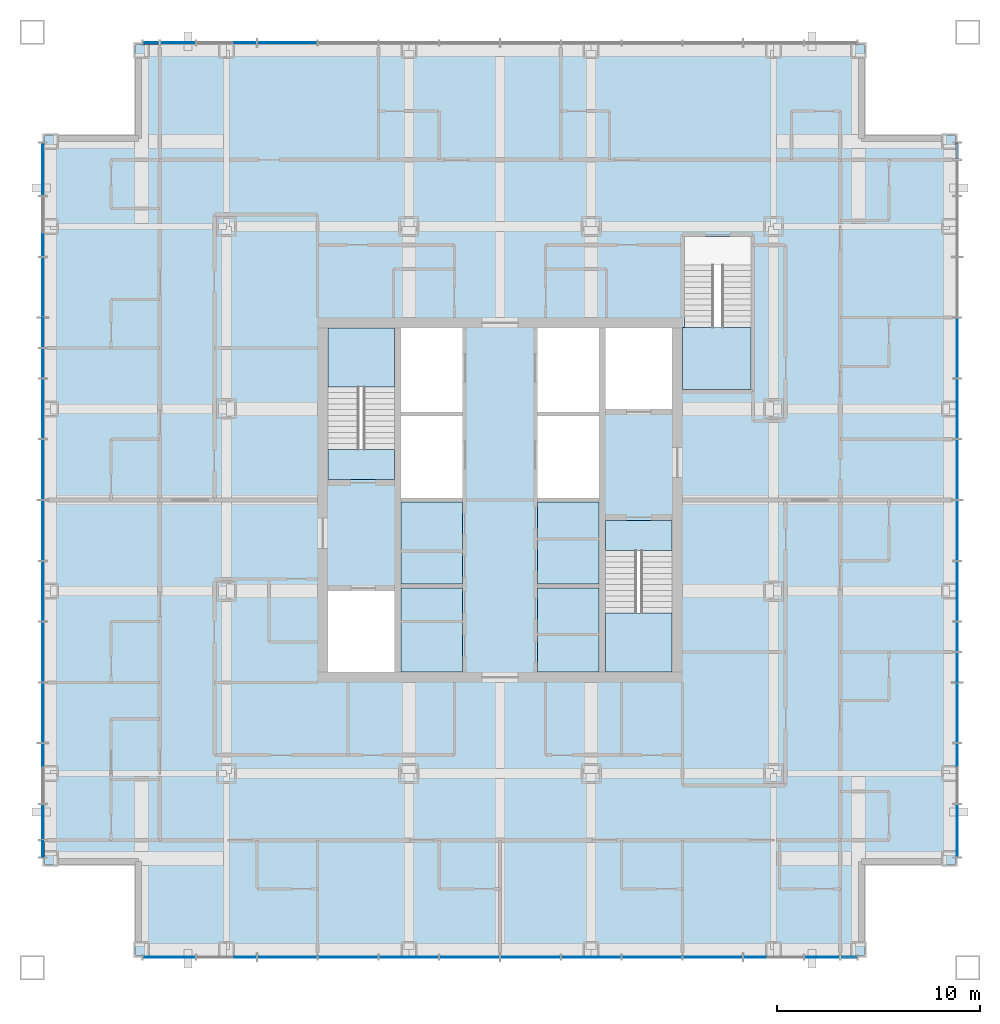
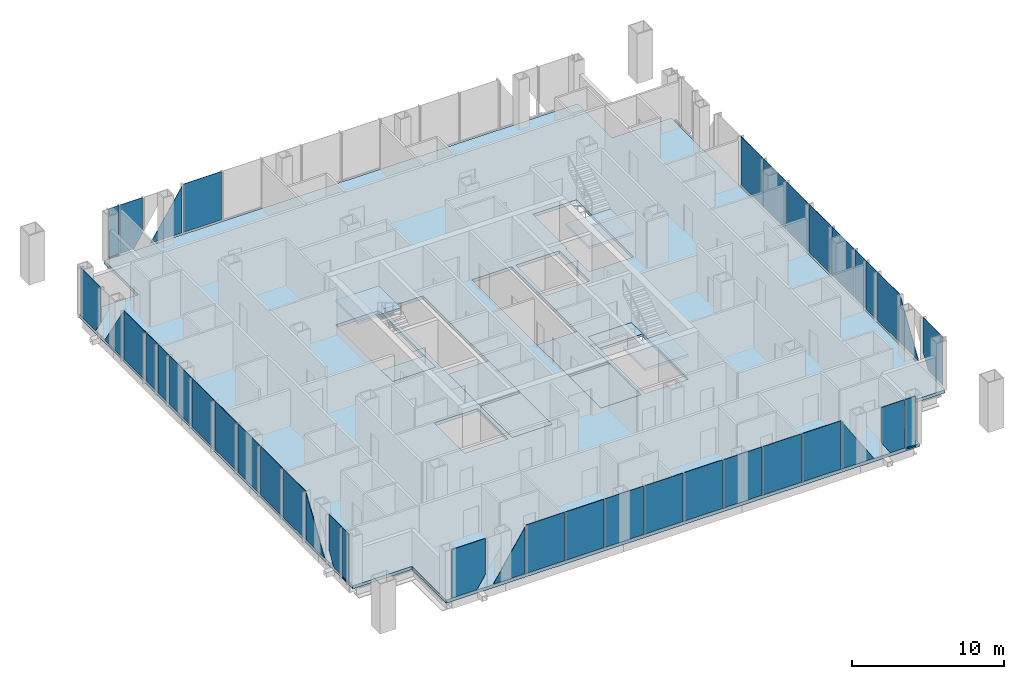
# One storey, part 6 of 12: 41 plates, 10 slabs, 4 members, 7 elements without a shape of their own.
"""IFC4 building model written with IfcOpenShell, lengths in metres."""

import ifcopenshell
import ifcopenshell.guid

model = None  # the IFC model being written
_history = None  # IfcOwnerHistory: only IFC2X3 demands one
_inside = {}  # id of a spatial element -> (the spatial element, [elements in it])
_under = {}  # id of a project, library or spatial element -> (it, [spatial elements below it])
_declared = {}  # id of a project -> (the project, [libraries it declares])
_typed = {}  # id of a type object -> (the type object, [elements of that type])
_made_of = {}  # id of a material, layer set ... -> (it, [elements and type objects made of it])


def new_model(schema):
    """Start an empty IFC model of exactly this schema.

    Asked for "IFC4X3", IfcOpenShell would pick the latest addendum, in which some entities
    have other attributes; the version numbers below select the first issue.
    IFC2X3 requires an IfcOwnerHistory on every rooted entity: one is made here for all.
    """
    global model, _history
    if schema == "IFC4X3":
        model = ifcopenshell.file(schema_version=(4, 3, 0, 0))
    else:
        model = ifcopenshell.file(schema=schema)
    _inside.clear()
    _under.clear()
    _declared.clear()
    _typed.clear()
    _made_of.clear()
    _history = None
    if model.schema == "IFC2X3":
        org = make("IfcOrganization", Name="unknown")
        user = make(
            "IfcPersonAndOrganization",
            ThePerson=make("IfcPerson", FamilyName="unknown"),
            TheOrganization=org,
        )
        app = make(
            "IfcApplication",
            ApplicationDeveloper=org,
            Version="unknown",
            ApplicationFullName="unknown",
            ApplicationIdentifier="unknown",
        )
        _history = make(
            "IfcOwnerHistory",
            OwningUser=user,
            OwningApplication=app,
            ChangeAction="ADDED",
            CreationDate=0,
        )
    return model


def make(cls, **values):
    """One entity of the class cls with the attributes given. An attribute that is None is left unset."""
    return model.create_entity(
        cls, **{name: value for name, value in values.items() if value is not None}
    )


def rooted(cls, **values):
    """An entity with a GlobalId (a new one), such as an element, a storey or a relation."""
    return make(cls, GlobalId=ifcopenshell.guid.new(), OwnerHistory=_history, **values)


def si_unit(unit_type, name, prefix=None):
    """IfcSIUnit, for example si_unit("LENGTHUNIT", "METRE", prefix="MILLI")."""
    return make("IfcSIUnit", UnitType=unit_type, Prefix=prefix, Name=name)


def assignment(units):
    """IfcUnitAssignment: the units of a project."""
    return None if units is None else make("IfcUnitAssignment", Units=units)


def point(xyz):
    """IfcCartesianPoint."""
    return None if xyz is None else make("IfcCartesianPoint", Coordinates=xyz)


def direction(xyz):
    """IfcDirection."""
    return None if xyz is None else make("IfcDirection", DirectionRatios=xyz)


def frame(location, z_axis=None, x_axis=None):
    """IfcAxis2Placement3D, a coordinate frame: its origin and axes. An axis left out is left unset."""
    return make(
        "IfcAxis2Placement3D",
        Location=point(location),
        Axis=direction(z_axis),
        RefDirection=direction(x_axis),
    )


def frame_2d(location, x_axis=None):
    """IfcAxis2Placement2D, a coordinate frame in the plane: its origin and x axis."""
    return make(
        "IfcAxis2Placement2D", Location=point(location), RefDirection=direction(x_axis)
    )


def origin():
    """The frame at (0, 0, 0) with its axes left unset."""
    return frame((0.0, 0.0, 0.0))


def origin_2d():
    """The frame at (0, 0) in the plane with its x axis left unset."""
    return frame_2d((0.0, 0.0))


def place(relative_to, where):
    """IfcLocalPlacement: puts the frame where relative to a parent placement (None: the world)."""
    return make(
        "IfcLocalPlacement", PlacementRelTo=relative_to, RelativePlacement=where
    )


def context(
    kind, dimensions, precision=None, world=None, true_north=None, identifier=None
):
    """IfcGeometricRepresentationContext, for example the 3D "Model" context."""
    return make(
        "IfcGeometricRepresentationContext",
        ContextIdentifier=identifier,
        ContextType=kind,
        CoordinateSpaceDimension=dimensions,
        Precision=precision,
        WorldCoordinateSystem=world,
        TrueNorth=true_north,
    )


def subcontext(parent, identifier, kind, view, scale=None):
    """IfcGeometricRepresentationSubContext, for example "Body" below "Model"."""
    return make(
        "IfcGeometricRepresentationSubContext",
        ContextIdentifier=identifier,
        ContextType=kind,
        ParentContext=parent,
        TargetScale=scale,
        TargetView=view,
    )


def project(units=None, contexts=None):
    """IfcProject with its units and contexts."""
    return rooted(
        "IfcProject",
        Name="project",
        RepresentationContexts=contexts,
        UnitsInContext=assignment(units),
    )


def spatial(cls, under=None, at=None, **own):
    """A site, building, storey or space (cls), placed at a placement, below another one or the project."""
    s = rooted(cls, ObjectPlacement=at, **own)
    if under is not None:
        _under.setdefault(under.id(), (under, []))[1].append(s)
    return s


def polyline(points):
    """IfcPolyline through the points."""
    return make("IfcPolyline", Points=[point(p) for p in points])


def profile(cls, at=None, kind="AREA", **sizes):
    """A parametric profile (cls). Its sizes go by their IFC names, for example OverallWidth=200.0."""
    return make(cls, ProfileType=kind, Position=at, **sizes)


def rectangle(**sizes):
    """IfcRectangleProfileDef."""
    return profile("IfcRectangleProfileDef", **sizes)


def outline(outer, holes=None, kind="AREA"):
    """IfcArbitraryClosedProfileDef: a profile drawn as a closed curve; with holes, ...WithVoids."""
    if holes is None:
        return make("IfcArbitraryClosedProfileDef", ProfileType=kind, OuterCurve=outer)
    return make(
        "IfcArbitraryProfileDefWithVoids",
        ProfileType=kind,
        OuterCurve=outer,
        InnerCurves=holes,
    )


def extrude(swept, where, along, depth):
    """IfcExtrudedAreaSolid: the profile swept, set in the frame where, extruded along a direction by depth."""
    return make(
        "IfcExtrudedAreaSolid",
        SweptArea=swept,
        Position=where,
        ExtrudedDirection=direction(along),
        Depth=depth,
    )


def shape(context_of_items, identifier, shape_type, items):
    """IfcShapeRepresentation: the items that make up one representation, for example the "Body"."""
    return make(
        "IfcShapeRepresentation",
        ContextOfItems=context_of_items,
        RepresentationIdentifier=identifier,
        RepresentationType=shape_type,
        Items=items,
    )


def material(Name=None, Category=None):
    """IfcMaterial."""
    return make("IfcMaterial", Name=Name, Category=Category)


def layer(
    of_material, thickness, ventilated=None, Name=None, Category=None, Priority=None
):
    """IfcMaterialLayer: one layer of a wall or slab, of a material (None: an air gap)."""
    return make(
        "IfcMaterialLayer",
        Material=of_material,
        LayerThickness=thickness,
        IsVentilated=ventilated,
        Name=Name,
        Category=Category,
        Priority=Priority,
    )


def layer_set(layers, Name=None):
    """IfcMaterialLayerSet."""
    return make("IfcMaterialLayerSet", MaterialLayers=layers, LayerSetName=Name)


def material_profile(
    of_material, cross_section, Name=None, Category=None, Priority=None
):
    """IfcMaterialProfile: a cross section and its material."""
    return make(
        "IfcMaterialProfile",
        Name=Name,
        Material=of_material,
        Profile=cross_section,
        Priority=Priority,
        Category=Category,
    )


def profile_set(profiles, Name=None, composite=None):
    """IfcMaterialProfileSet."""
    return make(
        "IfcMaterialProfileSet",
        Name=Name,
        MaterialProfiles=profiles,
        CompositeProfile=composite,
    )


def made_of(thing, what):
    """Note that an element or type object is made of a material, layer set ...; save() writes the relation."""
    if what is not None:
        _made_of.setdefault(what.id(), (what, []))[1].append(thing)
    return thing


def type_object(cls, material=None, **own):
    """A type object (cls), such as IfcWallType, which elements share."""
    return made_of(rooted(cls, **own), material)


def element(
    cls,
    number,
    at=None,
    inside=None,
    cuts=None,
    type_object=None,
    material=None,
    context=None,
    identifier="Body",
    shape_type=None,
    held_by="IfcProductDefinitionShape",
    body=None,
    shapes=None,
    **own,
):
    """One element of the class cls, such as IfcWall. Its Tag is "e" and its number.

    at: its placement. inside: the storey or other place that contains it. cuts: it is an
    opening in that element (IfcRelVoidsElement). A single representation is given by context,
    identifier, shape_type and body (its items); several are given by shapes. held_by: the class
    of the entity that holds the representations. save() writes the other relations.
    """
    e = rooted(cls, Tag="e%d" % number, ObjectPlacement=at, **own)
    if body is not None:
        shapes = [shape(context, identifier, shape_type, body)]
    if shapes is not None:
        e.Representation = make(held_by, Representations=shapes)
    if inside is not None:
        _inside.setdefault(inside.id(), (inside, []))[1].append(e)
    if cuts is not None:
        rooted(
            "IfcRelVoidsElement", RelatingBuildingElement=cuts, RelatedOpeningElement=e
        )
    if type_object is not None:
        _typed.setdefault(type_object.id(), (type_object, []))[1].append(e)
    return made_of(e, material)


def aggregate(whole, parts):
    """IfcRelAggregates: a whole, such as a stair, and the parts it consists of."""
    return rooted("IfcRelAggregates", RelatingObject=whole, RelatedObjects=parts)


def save(model, path):
    """Write the relations noted so far, then the file.

    IfcRelAggregates (storeys below a building ...), IfcRelContainedInSpatialStructure (elements
    in a storey), IfcRelDefinesByType, IfcRelAssociatesMaterial and IfcRelDeclares: one each for
    every whole, place, type object, material and project.
    """
    for whole, parts in _under.values():
        aggregate(whole, parts)
    for where, things in _inside.values():
        rooted(
            "IfcRelContainedInSpatialStructure",
            RelatedElements=things,
            RelatingStructure=where,
        )
    for kind, things in _typed.values():
        rooted("IfcRelDefinesByType", RelatedObjects=things, RelatingType=kind)
    for what, things in _made_of.values():
        rooted("IfcRelAssociatesMaterial", RelatedObjects=things, RelatingMaterial=what)
    for by, libraries in _declared.values():
        rooted("IfcRelDeclares", RelatingContext=by, RelatedDefinitions=libraries)
    model.write(path)


model = new_model("IFC4")

# Units and contexts
model_context = context("Model", 3, precision=1e-05, world=origin(), true_north=direction((0.0, 1.0)))
body_context = subcontext(model_context, "Body", "Model", "MODEL_VIEW")
ifc_project = project(units=[si_unit("LENGTHUNIT", "METRE"), si_unit("AREAUNIT", "SQUARE_METRE"), si_unit("VOLUMEUNIT", "CUBIC_METRE"), si_unit("PLANEANGLEUNIT", "RADIAN"), si_unit("MASSUNIT", "GRAM", prefix="KILO")], contexts=[model_context])

# Site, building, storey
site_placement = place(None, origin())
site = spatial("IfcSite", under=ifc_project, at=site_placement, CompositionType="ELEMENT")
building_placement = place(site_placement, origin())
building = spatial("IfcBuilding", under=site, at=building_placement, Name="Malebo Sky Hospital", CompositionType="ELEMENT")
storey_placement = place(building_placement, frame((0.0, 0.0, 221.0)))
storey = spatial("IfcBuildingStorey", under=building, at=storey_placement, Name="L53", CompositionType="ELEMENT", Elevation=221.0)

# Curtain wall, member
ifc_material_1 = material(Name="Anodised aluminium, natural silver", Category="aluminium")
ifc_layer_1 = layer(ifc_material_1, 0.25)
ifc_layer_set_1 = layer_set([ifc_layer_1], Name="WARD CURTAIN WALL NORTH AND SOUTH")
curtain_wall_type_1 = type_object("IfcCurtainWallType", Name="WARD CURTAIN WALL NORTH AND SOUTH", PredefinedType="NOTDEFINED", material=ifc_layer_set_1)
curtain_wall_1_placement = place(storey_placement, origin())
curtain_wall_1 = element("IfcCurtainWall", 1, at=curtain_wall_1_placement, inside=storey, type_object=curtain_wall_type_1, Name="NS curtain wall N", PredefinedType="NOTDEFINED")
ifc_material_profile = material_profile(ifc_material_1, rectangle(XDim=0.14990234375, YDim=0.10009765625, at=origin_2d()), Name="ALUMINIUM TRANSOM 150x100")
ifc_profile_set = profile_set([ifc_material_profile], Name="Anodised aluminium, natural silver")
member_type = type_object("IfcMemberType", Name="ALUMINIUM TRANSOM 150x100", PredefinedType="USERDEFINED", material=ifc_profile_set)
member_1_placement = place(storey_placement, frame((42.375, 84.574951171875, 0.050048828125), z_axis=(1.0, 0.0, 0.0), x_axis=(0.0, 1.0, 0.0)))
member_1 = element("IfcMember", 2, at=member_1_placement, type_object=member_type, Name="Transom 1", ObjectType="TRANSOM", PredefinedType="USERDEFINED", context=body_context, shape_type="SweptSolid", body=[
    extrude(rectangle(XDim=0.14990234375, YDim=0.10009765625, at=origin_2d()), origin(), (0.0, 0.0, 1.0), 0.78759765625),
])

ifc_layer_2 = layer(ifc_material_1, 0.25)
ifc_layer_set_2 = layer_set([ifc_layer_2], Name="WARD CURTAIN WALL EAST AND WEST")
curtain_wall_type_2 = type_object("IfcCurtainWallType", Name="WARD CURTAIN WALL EAST AND WEST", PredefinedType="NOTDEFINED", material=ifc_layer_set_2)
curtain_wall_2_placement = place(storey_placement, origin())
curtain_wall_2 = element("IfcCurtainWall", 3, at=curtain_wall_2_placement, inside=storey, type_object=curtain_wall_type_2, Name="EW curtain wall W", PredefinedType="NOTDEFINED")
member_2_placement = place(storey_placement, frame((37.425048828125, 44.375, 0.050048828125), z_axis=(0.0, 1.0, 0.0), x_axis=(-1.0, 0.0, 0.0)))
member_2 = element("IfcMember", 4, at=member_2_placement, type_object=member_type, Name="Transom 1", ObjectType="TRANSOM", PredefinedType="USERDEFINED", context=body_context, shape_type="SweptSolid", body=[
    extrude(rectangle(XDim=0.14990234375, YDim=0.10009765625, at=origin_2d()), origin(), (0.0, 0.0, 1.0), 0.78759765625),
])

curtain_wall_3_placement = place(storey_placement, origin())
curtain_wall_3 = element("IfcCurtainWall", 5, at=curtain_wall_3_placement, inside=storey, type_object=curtain_wall_type_1, Name="NS curtain wall S", PredefinedType="NOTDEFINED")
member_3_placement = place(storey_placement, frame((77.625, 39.425048828125, 0.050048828125), z_axis=(-1.0, 0.0, 0.0), x_axis=(0.0, -1.0, 0.0)))
member_3 = element("IfcMember", 6, at=member_3_placement, type_object=member_type, Name="Transom 1", ObjectType="TRANSOM", PredefinedType="USERDEFINED", context=body_context, shape_type="SweptSolid", body=[
    extrude(rectangle(XDim=0.14990234375, YDim=0.10009765625, at=origin_2d()), origin(), (0.0, 0.0, 1.0), 0.78759765625),
])

curtain_wall_4_placement = place(storey_placement, origin())
curtain_wall_4 = element("IfcCurtainWall", 7, at=curtain_wall_4_placement, inside=storey, type_object=curtain_wall_type_2, Name="EW curtain wall E", PredefinedType="NOTDEFINED")
member_4_placement = place(storey_placement, frame((82.574951171875, 79.625, 0.050048828125), z_axis=(0.0, -1.0, 0.0), x_axis=(1.0, 0.0, 0.0)))
member_4 = element("IfcMember", 8, at=member_4_placement, type_object=member_type, Name="Transom 1", ObjectType="TRANSOM", PredefinedType="USERDEFINED", context=body_context, shape_type="SweptSolid", body=[
    extrude(rectangle(XDim=0.14990234375, YDim=0.10009765625, at=origin_2d()), origin(), (0.0, 0.0, 1.0), 0.78759765625),
])

# Slabs
ifc_material_2 = material(Name="Concrete C40/50", Category="concrete")
ifc_layer_3 = layer(ifc_material_2, 0.25)
ifc_layer_set_3 = layer_set([ifc_layer_3], Name="COMPOSITE FLOOR SLAB 250")
slab_type_1 = type_object("IfcSlabType", Name="COMPOSITE FLOOR SLAB 250", PredefinedType="FLOOR", material=ifc_layer_set_3)
slab_1_placement = place(storey_placement, frame((0.0, 0.0, -0.25)))
element("IfcSlab", 9, at=slab_1_placement, inside=storey, type_object=slab_type_1, Name="Floor slab L53", PredefinedType="FLOOR", context=body_context, shape_type="SweptSolid", body=[
    extrude(outline(polyline([(42.0, 84.5), (42.0, 80.0), (37.5, 80.0), (37.5, 44.0), (42.0, 44.0), (42.0, 39.5), (78.0, 39.5), (78.0, 44.0), (82.5, 44.0), (82.5, 80.0), (78.0, 80.0), (78.0, 84.5), (42.0, 84.5)]), holes=[polyline([(55.10009765625, 70.5), (58.14990234375, 70.5), (58.14990234375, 53.5), (55.10009765625, 53.5), (55.10009765625, 70.5)]), polyline([(64.89990234375, 70.5), (64.89990234375, 53.5), (61.85009765625, 53.5), (61.85009765625, 70.5), (64.89990234375, 70.5)]), polyline([(54.800048828125, 63.0), (51.5, 63.0), (51.5, 70.5), (54.800048828125, 70.5), (54.800048828125, 63.0)]), polyline([(51.5, 53.5), (51.5, 57.5), (54.800048828125, 57.5), (54.800048828125, 53.5), (51.5, 53.5)]), polyline([(65.199951171875, 61.0), (68.5, 61.0), (68.5, 53.5), (65.199951171875, 53.5), (65.199951171875, 61.0)]), polyline([(68.5, 70.5), (68.5, 66.5), (65.199951171875, 66.5), (65.199951171875, 70.5), (68.5, 70.5)]), polyline([(69.0, 67.449951171875), (69.0, 70.52001953125), (69.10009765625, 70.52001953125), (69.10009765625, 75.0), (72.39990234375, 75.0), (72.39990234375, 67.449951171875), (69.10009765625, 67.449951171875), (69.0, 67.449951171875)])]), origin(), (0.0, 0.0, 1.0), 0.25),
])
ifc_layer_4 = layer(ifc_material_2, 0.25)
ifc_layer_set_4 = layer_set([ifc_layer_4], Name="SHAFT INFILL SLAB 250")
slab_type_2 = type_object("IfcSlabType", Name="SHAFT INFILL SLAB 250", PredefinedType="FLOOR", material=ifc_layer_set_4)
slab_2_placement = place(storey_placement, frame((0.0, 0.0, -0.25)))
element("IfcSlab", 10, at=slab_2_placement, inside=storey, type_object=slab_type_2, Name="Shaft infill slab W1 L53", PredefinedType="FLOOR", context=body_context, shape_type="SweptSolid", body=[
    extrude(outline(polyline([(55.10009765625, 53.5), (58.14990234375, 53.5), (58.14990234375, 57.64990234375), (55.10009765625, 57.64990234375), (55.10009765625, 53.5)])), origin(), (0.0, 0.0, 1.0), 0.25),
])
slab_3_placement = place(storey_placement, frame((0.0, 0.0, -0.25)))
element("IfcSlab", 11, at=slab_3_placement, inside=storey, type_object=slab_type_2, Name="Shaft infill slab W2 L53", PredefinedType="FLOOR", context=body_context, shape_type="SweptSolid", body=[
    extrude(outline(polyline([(55.10009765625, 57.85009765625), (58.14990234375, 57.85009765625), (58.14990234375, 61.89990234375), (55.10009765625, 61.89990234375), (55.10009765625, 57.85009765625)])), origin(), (0.0, 0.0, 1.0), 0.25),
])
slab_4_placement = place(storey_placement, frame((0.0, 0.0, -0.25)))
element("IfcSlab", 12, at=slab_4_placement, inside=storey, type_object=slab_type_2, Name="Shaft infill slab E1 L53", PredefinedType="FLOOR", context=body_context, shape_type="SweptSolid", body=[
    extrude(outline(polyline([(61.85009765625, 53.5), (64.89990234375, 53.5), (64.89990234375, 57.64990234375), (61.85009765625, 57.64990234375), (61.85009765625, 53.5)])), origin(), (0.0, 0.0, 1.0), 0.25),
])
slab_5_placement = place(storey_placement, frame((0.0, 0.0, -0.25)))
element("IfcSlab", 13, at=slab_5_placement, inside=storey, type_object=slab_type_2, Name="Shaft infill slab E2 L53", PredefinedType="FLOOR", context=body_context, shape_type="SweptSolid", body=[
    extrude(outline(polyline([(61.85009765625, 57.85009765625), (64.89990234375, 57.85009765625), (64.89990234375, 61.89990234375), (61.85009765625, 61.89990234375), (61.85009765625, 57.85009765625)])), origin(), (0.0, 0.0, 1.0), 0.25),
])

# Stair, slabs
stair_type_1 = type_object("IfcStairType", Name="HALF-TURN STAIR 1500 R167", PredefinedType="HALF_TURN_STAIR", material=ifc_material_2)
stair_1_placement = place(storey_placement, origin())
stair_1 = element("IfcStair", 14, at=stair_1_placement, inside=storey, type_object=stair_type_1, Name="Stair S1 L53 type ST1", PredefinedType="HALF_TURN_STAIR")
ifc_layer_5 = layer(ifc_material_2, 0.199951171875)
ifc_layer_set_5 = layer_set([ifc_layer_5], Name="STAIR LANDING 200")
slab_type_3 = type_object("IfcSlabType", Name="STAIR LANDING 200", PredefinedType="LANDING", material=ifc_layer_set_5)
slab_6_placement = place(storey_placement, frame((0.0, 0.0, -0.199951171875)))
slab_6 = element("IfcSlab", 15, at=slab_6_placement, type_object=slab_type_3, Name="S1 landing 1", PredefinedType="LANDING", context=body_context, shape_type="SweptSolid", body=[
    extrude(outline(polyline([(51.5, 63.0), (54.800048828125, 63.0), (54.800048828125, 64.5), (51.5, 64.5), (51.5, 63.0)])), origin(), (0.0, 0.0, 1.0), 0.199951171875),
])
slab_7_placement = place(storey_placement, frame((0.0, 0.0, 1.800048828125)))
slab_7 = element("IfcSlab", 16, at=slab_7_placement, type_object=slab_type_3, Name="S1 landing 2", PredefinedType="LANDING", context=body_context, shape_type="SweptSolid", body=[
    extrude(outline(polyline([(51.5, 67.580078125), (54.800048828125, 67.580078125), (54.800048828125, 70.5), (51.5, 70.5), (51.5, 67.580078125)])), origin(), (0.0, 0.0, 1.0), 0.199951171875),
])
aggregate(stair_1, [slab_6, slab_7])

stair_2_placement = place(storey_placement, origin())
stair_2 = element("IfcStair", 17, at=stair_2_placement, inside=storey, type_object=stair_type_1, Name="Stair S2 L53 type ST1", PredefinedType="HALF_TURN_STAIR")
slab_8_placement = place(storey_placement, frame((0.0, 0.0, -0.199951171875)))
slab_8 = element("IfcSlab", 18, at=slab_8_placement, type_object=slab_type_3, Name="S2 landing 1", PredefinedType="LANDING", context=body_context, shape_type="SweptSolid", body=[
    extrude(outline(polyline([(65.199951171875, 59.5), (68.5, 59.5), (68.5, 61.0), (65.199951171875, 61.0), (65.199951171875, 59.5)])), origin(), (0.0, 0.0, 1.0), 0.199951171875),
])
slab_9_placement = place(storey_placement, frame((0.0, 0.0, 1.800048828125)))
slab_9 = element("IfcSlab", 19, at=slab_9_placement, type_object=slab_type_3, Name="S2 landing 2", PredefinedType="LANDING", context=body_context, shape_type="SweptSolid", body=[
    extrude(outline(polyline([(65.199951171875, 53.5), (68.5, 53.5), (68.5, 56.419921875), (65.199951171875, 56.419921875), (65.199951171875, 53.5)])), origin(), (0.0, 0.0, 1.0), 0.199951171875),
])
aggregate(stair_2, [slab_8, slab_9])

# Stair, slab
stair_type_2 = type_object("IfcStairType", Name="HALF-TURN STAIR 1400 R167", PredefinedType="HALF_TURN_STAIR", material=ifc_material_2)
stair_3_placement = place(storey_placement, origin())
stair_3 = element("IfcStair", 20, at=stair_3_placement, inside=storey, type_object=stair_type_2, Name="Stair S3 L53 type ST1B", PredefinedType="HALF_TURN_STAIR")
slab_10_placement = place(storey_placement, frame((0.0, 0.0, 1.800048828125)))
slab_10 = element("IfcSlab", 21, at=slab_10_placement, type_object=slab_type_3, Name="S3 landing 2", PredefinedType="LANDING", context=body_context, shape_type="SweptSolid", body=[
    extrude(outline(polyline([(69.0, 67.449951171875), (72.39990234375, 67.449951171875), (72.39990234375, 70.52001953125), (69.0, 70.52001953125), (69.0, 67.449951171875)])), origin(), (0.0, 0.0, 1.0), 0.199951171875),
])
aggregate(stair_3, [slab_10])

# Plate
ifc_material_3 = material(Name="Clear low-iron double glazing", Category="glass")
ifc_layer_6 = layer(ifc_material_3, 0.031982421875)
ifc_layer_set_6 = layer_set([ifc_layer_6], Name="VISION PANEL CLEAR 32")
plate_type = type_object("IfcPlateType", Name="VISION PANEL CLEAR 32", PredefinedType="CURTAIN_PANEL", material=ifc_layer_set_6)
plate_1_placement = place(storey_placement, frame((42.768798828125, 84.574951171875, 0.10009765625), z_axis=(0.0, 0.0, 1.0), x_axis=(1.0, 0.0, 0.0)))
plate_1 = element("IfcPlate", 22, at=plate_1_placement, type_object=plate_type, Name="Panel 1", PredefinedType="CURTAIN_PANEL", context=body_context, shape_type="SweptSolid", body=[
    extrude(rectangle(XDim=0.78759765625, YDim=0.031982421875, at=origin_2d()), origin(), (0.0, 0.0, 1.0), 3.889892578125),
])

plate_2_placement = place(storey_placement, frame((44.10009765625, 84.574951171875, 0.10009765625), z_axis=(0.0, 0.0, 1.0), x_axis=(1.0, 0.0, 0.0)))
plate_2 = element("IfcPlate", 23, at=plate_2_placement, type_object=plate_type, Name="Panel 2", PredefinedType="CURTAIN_PANEL", context=body_context, shape_type="SweptSolid", body=[
    extrude(outline(polyline([(-0.862548828125, 0.0), (0.1962890625, 0.0), (0.862548828125, 1.0380859375), (0.862548828125, 3.889892578125), (-0.862548828125, 3.889892578125), (-0.862548828125, 0.0)])), frame((0.0, 0.01611328125, 0.0), z_axis=(0.0, -1.0, 0.0), x_axis=(1.0, 0.0, 0.0)), (0.0, 0.0, 1.0), 0.031982421875),
])

plate_3_placement = place(storey_placement, frame((46.75390625, 84.574951171875, 0.10009765625), z_axis=(0.0, 0.0, 1.0), x_axis=(1.0, 0.0, 0.0)))
plate_3 = element("IfcPlate", 24, at=plate_3_placement, type_object=plate_type, Name="Panel 3", PredefinedType="CURTAIN_PANEL", context=body_context, shape_type="SweptSolid", body=[
    extrude(outline(polyline([(-1.208740234375, 0.0), (1.208740234375, 0.0), (1.208740234375, 3.767333984375), (-1.208740234375, 0.0)])), frame((0.0, 0.01611328125, 0.0), z_axis=(0.0, -1.0, 0.0), x_axis=(1.0, 0.0, 0.0)), (0.0, 0.0, 1.0), 0.031982421875),
])

plate_4_placement = place(storey_placement, frame((49.5, 84.574951171875, 0.10009765625), z_axis=(0.0, 0.0, 1.0), x_axis=(1.0, 0.0, 0.0)))
plate_4 = element("IfcPlate", 25, at=plate_4_placement, type_object=plate_type, Name="Panel 4", PredefinedType="CURTAIN_PANEL", context=body_context, shape_type="SweptSolid", body=[
    extrude(outline(polyline([(-1.46240234375, 0.0), (1.46240234375, 0.0), (1.46240234375, 3.889892578125), (-1.458740234375, 3.889892578125), (-1.46240234375, 3.88427734375), (-1.46240234375, 0.0)])), frame((0.0, 0.01611328125, 0.0), z_axis=(0.0, -1.0, 0.0), x_axis=(1.0, 0.0, 0.0)), (0.0, 0.0, 1.0), 0.031982421875),
])

aggregate(curtain_wall_1, [member_1, plate_1, plate_2, plate_3, plate_4])

plate_5_placement = place(storey_placement, frame((37.425048828125, 44.768798828125, 0.10009765625), z_axis=(0.0, 0.0, 1.0), x_axis=(0.0, 1.0, 0.0)))
plate_5 = element("IfcPlate", 26, at=plate_5_placement, type_object=plate_type, Name="Panel 1", PredefinedType="CURTAIN_PANEL", context=body_context, shape_type="SweptSolid", body=[
    extrude(rectangle(XDim=0.78759765625, YDim=0.031982421875, at=origin_2d()), origin(), (0.0, 0.0, 1.0), 3.889892578125),
])

plate_6_placement = place(storey_placement, frame((37.425048828125, 46.10009765625, 0.10009765625), z_axis=(0.0, 0.0, 1.0), x_axis=(0.0, 1.0, 0.0)))
plate_6 = element("IfcPlate", 27, at=plate_6_placement, type_object=plate_type, Name="Panel 2", PredefinedType="CURTAIN_PANEL", context=body_context, shape_type="SweptSolid", body=[
    extrude(outline(polyline([(-0.862548828125, 0.0), (0.1962890625, 0.0), (0.862548828125, 1.0380859375), (0.862548828125, 3.889892578125), (-0.862548828125, 3.889892578125), (-0.862548828125, 0.0)])), frame((0.0, 0.01611328125, 0.0), z_axis=(0.0, -1.0, 0.0), x_axis=(1.0, 0.0, 0.0)), (0.0, 0.0, 1.0), 0.031982421875),
])

plate_7_placement = place(storey_placement, frame((37.425048828125, 48.75390625, 0.10009765625), z_axis=(0.0, 0.0, 1.0), x_axis=(0.0, 1.0, 0.0)))
plate_7 = element("IfcPlate", 28, at=plate_7_placement, type_object=plate_type, Name="Panel 3", PredefinedType="CURTAIN_PANEL", context=body_context, shape_type="SweptSolid", body=[
    extrude(outline(polyline([(-1.208740234375, 0.0), (1.208740234375, 0.0), (1.208740234375, 3.767333984375), (-1.208740234375, 0.0)])), frame((0.0, 0.01611328125, 0.0), z_axis=(0.0, -1.0, 0.0), x_axis=(1.0, 0.0, 0.0)), (0.0, 0.0, 1.0), 0.031982421875),
])

plate_8_placement = place(storey_placement, frame((37.425048828125, 51.5, 0.10009765625), z_axis=(0.0, 0.0, 1.0), x_axis=(0.0, 1.0, 0.0)))
plate_8 = element("IfcPlate", 29, at=plate_8_placement, type_object=plate_type, Name="Panel 4", PredefinedType="CURTAIN_PANEL", context=body_context, shape_type="SweptSolid", body=[
    extrude(outline(polyline([(-1.46240234375, 0.0), (1.46240234375, 0.0), (1.46240234375, 3.889892578125), (-1.458740234375, 3.889892578125), (-1.46240234375, 3.88427734375), (-1.46240234375, 0.0)])), frame((0.0, 0.01611328125, 0.0), z_axis=(0.0, -1.0, 0.0), x_axis=(1.0, 0.0, 0.0)), (0.0, 0.0, 1.0), 0.031982421875),
])

plate_9_placement = place(storey_placement, frame((37.425048828125, 54.5, 0.10009765625), z_axis=(0.0, 0.0, 1.0), x_axis=(0.0, 1.0, 0.0)))
plate_9 = element("IfcPlate", 30, at=plate_9_placement, type_object=plate_type, Name="Panel 5", PredefinedType="CURTAIN_PANEL", context=body_context, shape_type="SweptSolid", body=[
    extrude(rectangle(XDim=2.925048828125, YDim=0.031982421875, at=origin_2d()), origin(), (0.0, 0.0, 1.0), 3.889892578125),
])

plate_10_placement = place(storey_placement, frame((37.425048828125, 57.5, 0.10009765625), z_axis=(0.0, 0.0, 1.0), x_axis=(0.0, 1.0, 0.0)))
plate_10 = element("IfcPlate", 31, at=plate_10_placement, type_object=plate_type, Name="Panel 6", PredefinedType="CURTAIN_PANEL", context=body_context, shape_type="SweptSolid", body=[
    extrude(rectangle(XDim=2.925048828125, YDim=0.031982421875, at=origin_2d()), origin(), (0.0, 0.0, 1.0), 3.889892578125),
])

plate_11_placement = place(storey_placement, frame((37.425048828125, 60.5, 0.10009765625), z_axis=(0.0, 0.0, 1.0), x_axis=(0.0, 1.0, 0.0)))
plate_11 = element("IfcPlate", 32, at=plate_11_placement, type_object=plate_type, Name="Panel 7", PredefinedType="CURTAIN_PANEL", context=body_context, shape_type="SweptSolid", body=[
    extrude(rectangle(XDim=2.925048828125, YDim=0.031982421875, at=origin_2d()), origin(), (0.0, 0.0, 1.0), 3.889892578125),
])

plate_12_placement = place(storey_placement, frame((37.425048828125, 63.5, 0.10009765625), z_axis=(0.0, 0.0, 1.0), x_axis=(0.0, 1.0, 0.0)))
plate_12 = element("IfcPlate", 33, at=plate_12_placement, type_object=plate_type, Name="Panel 8", PredefinedType="CURTAIN_PANEL", context=body_context, shape_type="SweptSolid", body=[
    extrude(rectangle(XDim=2.925048828125, YDim=0.031982421875, at=origin_2d()), origin(), (0.0, 0.0, 1.0), 3.889892578125),
])

plate_13_placement = place(storey_placement, frame((37.425048828125, 66.5, 0.10009765625), z_axis=(0.0, 0.0, 1.0), x_axis=(0.0, 1.0, 0.0)))
plate_13 = element("IfcPlate", 34, at=plate_13_placement, type_object=plate_type, Name="Panel 9", PredefinedType="CURTAIN_PANEL", context=body_context, shape_type="SweptSolid", body=[
    extrude(rectangle(XDim=2.925048828125, YDim=0.031982421875, at=origin_2d()), origin(), (0.0, 0.0, 1.0), 3.889892578125),
])

plate_14_placement = place(storey_placement, frame((37.425048828125, 68.75, 0.10009765625), z_axis=(0.0, 0.0, 1.0), x_axis=(0.0, 1.0, 0.0)))
plate_14 = element("IfcPlate", 35, at=plate_14_placement, type_object=plate_type, Name="Panel 10", PredefinedType="CURTAIN_PANEL", context=body_context, shape_type="SweptSolid", body=[
    extrude(rectangle(XDim=1.425048828125, YDim=0.031982421875, at=origin_2d()), origin(), (0.0, 0.0, 1.0), 3.889892578125),
])

plate_15_placement = place(storey_placement, frame((37.425048828125, 70.25, 0.10009765625), z_axis=(0.0, 0.0, 1.0), x_axis=(0.0, 1.0, 0.0)))
plate_15 = element("IfcPlate", 36, at=plate_15_placement, type_object=plate_type, Name="Panel 11", PredefinedType="CURTAIN_PANEL", context=body_context, shape_type="SweptSolid", body=[
    extrude(rectangle(XDim=1.425048828125, YDim=0.031982421875, at=origin_2d()), origin(), (0.0, 0.0, 1.0), 3.889892578125),
])

plate_16_placement = place(storey_placement, frame((37.425048828125, 72.5, 0.10009765625), z_axis=(0.0, 0.0, 1.0), x_axis=(0.0, 1.0, 0.0)))
plate_16 = element("IfcPlate", 37, at=plate_16_placement, type_object=plate_type, Name="Panel 12", PredefinedType="CURTAIN_PANEL", context=body_context, shape_type="SweptSolid", body=[
    extrude(outline(polyline([(-1.46240234375, 0.0), (1.46240234375, 0.0), (1.46240234375, 3.88427734375), (1.458740234375, 3.889892578125), (-1.46240234375, 3.889892578125), (-1.46240234375, 0.0)])), frame((0.0, 0.01611328125, 0.0), z_axis=(0.0, -1.0, 0.0), x_axis=(1.0, 0.0, 0.0)), (0.0, 0.0, 1.0), 0.031982421875),
])

plate_17_placement = place(storey_placement, frame((37.425048828125, 75.24609375, 0.10009765625), z_axis=(0.0, 0.0, 1.0), x_axis=(0.0, 1.0, 0.0)))
plate_17 = element("IfcPlate", 38, at=plate_17_placement, type_object=plate_type, Name="Panel 13", PredefinedType="CURTAIN_PANEL", context=body_context, shape_type="SweptSolid", body=[
    extrude(outline(polyline([(-1.208740234375, 0.0), (1.208740234375, 0.0), (-1.208740234375, 3.767333984375), (-1.208740234375, 0.0)])), frame((0.0, 0.01611328125, 0.0), z_axis=(0.0, -1.0, 0.0), x_axis=(1.0, 0.0, 0.0)), (0.0, 0.0, 1.0), 0.031982421875),
])

plate_18_placement = place(storey_placement, frame((37.425048828125, 78.331298828125, 0.10009765625), z_axis=(0.0, 0.0, 1.0), x_axis=(0.0, 1.0, 0.0)))
plate_18 = element("IfcPlate", 39, at=plate_18_placement, type_object=plate_type, Name="Panel 14", PredefinedType="CURTAIN_PANEL", context=body_context, shape_type="SweptSolid", body=[
    extrude(outline(polyline([(-0.627685546875, 0.0), (1.293701171875, 0.0), (1.293701171875, 3.889892578125), (-1.293701171875, 3.889892578125), (-1.293701171875, 1.0380859375), (-0.627685546875, 0.0)])), frame((0.0, 0.01611328125, 0.0), z_axis=(0.0, -1.0, 0.0), x_axis=(1.0, 0.0, 0.0)), (0.0, 0.0, 1.0), 0.031982421875),
])

aggregate(curtain_wall_2, [member_2, plate_5, plate_6, plate_7, plate_8, plate_9, plate_10, plate_11, plate_12, plate_13, plate_14, plate_15, plate_16, plate_17, plate_18])

plate_19_placement = place(storey_placement, frame((77.231201171875, 39.425048828125, 0.10009765625), z_axis=(0.0, 0.0, 1.0), x_axis=(-1.0, 0.0, 0.0)))
plate_19 = element("IfcPlate", 40, at=plate_19_placement, type_object=plate_type, Name="Panel 1", PredefinedType="CURTAIN_PANEL", context=body_context, shape_type="SweptSolid", body=[
    extrude(rectangle(XDim=0.78759765625, YDim=0.031982421875, at=origin_2d()), origin(), (0.0, 0.0, 1.0), 3.889892578125),
])

plate_20_placement = place(storey_placement, frame((75.89990234375, 39.425048828125, 0.10009765625), z_axis=(0.0, 0.0, 1.0), x_axis=(-1.0, 0.0, 0.0)))
plate_20 = element("IfcPlate", 41, at=plate_20_placement, type_object=plate_type, Name="Panel 2", PredefinedType="CURTAIN_PANEL", context=body_context, shape_type="SweptSolid", body=[
    extrude(outline(polyline([(-0.862548828125, 0.0), (0.1962890625, 0.0), (0.862548828125, 1.0380859375), (0.862548828125, 3.889892578125), (-0.862548828125, 3.889892578125), (-0.862548828125, 0.0)])), frame((0.0, 0.01611328125, 0.0), z_axis=(0.0, -1.0, 0.0), x_axis=(1.0, 0.0, 0.0)), (0.0, 0.0, 1.0), 0.031982421875),
])

plate_21_placement = place(storey_placement, frame((73.24609375, 39.425048828125, 0.10009765625), z_axis=(0.0, 0.0, 1.0), x_axis=(-1.0, 0.0, 0.0)))
plate_21 = element("IfcPlate", 42, at=plate_21_placement, type_object=plate_type, Name="Panel 3", PredefinedType="CURTAIN_PANEL", context=body_context, shape_type="SweptSolid", body=[
    extrude(outline(polyline([(-1.208740234375, 0.0), (1.208740234375, 0.0), (1.208740234375, 3.767333984375), (-1.208740234375, 0.0)])), frame((0.0, 0.01611328125, 0.0), z_axis=(0.0, -1.0, 0.0), x_axis=(1.0, 0.0, 0.0)), (0.0, 0.0, 1.0), 0.031982421875),
])

plate_22_placement = place(storey_placement, frame((70.5, 39.425048828125, 0.10009765625), z_axis=(0.0, 0.0, 1.0), x_axis=(-1.0, 0.0, 0.0)))
plate_22 = element("IfcPlate", 43, at=plate_22_placement, type_object=plate_type, Name="Panel 4", PredefinedType="CURTAIN_PANEL", context=body_context, shape_type="SweptSolid", body=[
    extrude(outline(polyline([(-1.46240234375, 0.0), (1.46240234375, 0.0), (1.46240234375, 3.889892578125), (-1.458740234375, 3.889892578125), (-1.46240234375, 3.88427734375), (-1.46240234375, 0.0)])), frame((0.0, 0.01611328125, 0.0), z_axis=(0.0, -1.0, 0.0), x_axis=(1.0, 0.0, 0.0)), (0.0, 0.0, 1.0), 0.031982421875),
])

plate_23_placement = place(storey_placement, frame((67.5, 39.425048828125, 0.10009765625), z_axis=(0.0, 0.0, 1.0), x_axis=(-1.0, 0.0, 0.0)))
plate_23 = element("IfcPlate", 44, at=plate_23_placement, type_object=plate_type, Name="Panel 5", PredefinedType="CURTAIN_PANEL", context=body_context, shape_type="SweptSolid", body=[
    extrude(rectangle(XDim=2.925048828125, YDim=0.031982421875, at=origin_2d()), origin(), (0.0, 0.0, 1.0), 3.889892578125),
])

plate_24_placement = place(storey_placement, frame((64.5, 39.425048828125, 0.10009765625), z_axis=(0.0, 0.0, 1.0), x_axis=(-1.0, 0.0, 0.0)))
plate_24 = element("IfcPlate", 45, at=plate_24_placement, type_object=plate_type, Name="Panel 6", PredefinedType="CURTAIN_PANEL", context=body_context, shape_type="SweptSolid", body=[
    extrude(rectangle(XDim=2.925048828125, YDim=0.031982421875, at=origin_2d()), origin(), (0.0, 0.0, 1.0), 3.889892578125),
])

plate_25_placement = place(storey_placement, frame((61.5, 39.425048828125, 0.10009765625), z_axis=(0.0, 0.0, 1.0), x_axis=(-1.0, 0.0, 0.0)))
plate_25 = element("IfcPlate", 46, at=plate_25_placement, type_object=plate_type, Name="Panel 7", PredefinedType="CURTAIN_PANEL", context=body_context, shape_type="SweptSolid", body=[
    extrude(rectangle(XDim=2.925048828125, YDim=0.031982421875, at=origin_2d()), origin(), (0.0, 0.0, 1.0), 3.889892578125),
])

plate_26_placement = place(storey_placement, frame((58.5, 39.425048828125, 0.10009765625), z_axis=(0.0, 0.0, 1.0), x_axis=(-1.0, 0.0, 0.0)))
plate_26 = element("IfcPlate", 47, at=plate_26_placement, type_object=plate_type, Name="Panel 8", PredefinedType="CURTAIN_PANEL", context=body_context, shape_type="SweptSolid", body=[
    extrude(rectangle(XDim=2.925048828125, YDim=0.031982421875, at=origin_2d()), origin(), (0.0, 0.0, 1.0), 3.889892578125),
])

plate_27_placement = place(storey_placement, frame((55.5, 39.425048828125, 0.10009765625), z_axis=(0.0, 0.0, 1.0), x_axis=(-1.0, 0.0, 0.0)))
plate_27 = element("IfcPlate", 48, at=plate_27_placement, type_object=plate_type, Name="Panel 9", PredefinedType="CURTAIN_PANEL", context=body_context, shape_type="SweptSolid", body=[
    extrude(rectangle(XDim=2.925048828125, YDim=0.031982421875, at=origin_2d()), origin(), (0.0, 0.0, 1.0), 3.889892578125),
])

plate_28_placement = place(storey_placement, frame((52.5, 39.425048828125, 0.10009765625), z_axis=(0.0, 0.0, 1.0), x_axis=(-1.0, 0.0, 0.0)))
plate_28 = element("IfcPlate", 49, at=plate_28_placement, type_object=plate_type, Name="Panel 10", PredefinedType="CURTAIN_PANEL", context=body_context, shape_type="SweptSolid", body=[
    extrude(rectangle(XDim=2.925048828125, YDim=0.031982421875, at=origin_2d()), origin(), (0.0, 0.0, 1.0), 3.889892578125),
])

plate_29_placement = place(storey_placement, frame((49.5, 39.425048828125, 0.10009765625), z_axis=(0.0, 0.0, 1.0), x_axis=(-1.0, 0.0, 0.0)))
plate_29 = element("IfcPlate", 50, at=plate_29_placement, type_object=plate_type, Name="Panel 11", PredefinedType="CURTAIN_PANEL", context=body_context, shape_type="SweptSolid", body=[
    extrude(outline(polyline([(-1.46240234375, 0.0), (1.46240234375, 0.0), (1.46240234375, 3.88427734375), (1.458740234375, 3.889892578125), (-1.46240234375, 3.889892578125), (-1.46240234375, 0.0)])), frame((0.0, 0.01611328125, 0.0), z_axis=(0.0, -1.0, 0.0), x_axis=(1.0, 0.0, 0.0)), (0.0, 0.0, 1.0), 0.031982421875),
])

plate_30_placement = place(storey_placement, frame((46.75390625, 39.425048828125, 0.10009765625), z_axis=(0.0, 0.0, 1.0), x_axis=(-1.0, 0.0, 0.0)))
plate_30 = element("IfcPlate", 51, at=plate_30_placement, type_object=plate_type, Name="Panel 12", PredefinedType="CURTAIN_PANEL", context=body_context, shape_type="SweptSolid", body=[
    extrude(outline(polyline([(-1.208740234375, 0.0), (1.208740234375, 0.0), (-1.208740234375, 3.767333984375), (-1.208740234375, 0.0)])), frame((0.0, 0.01611328125, 0.0), z_axis=(0.0, -1.0, 0.0), x_axis=(1.0, 0.0, 0.0)), (0.0, 0.0, 1.0), 0.031982421875),
])

plate_31_placement = place(storey_placement, frame((43.668701171875, 39.425048828125, 0.10009765625), z_axis=(0.0, 0.0, 1.0), x_axis=(-1.0, 0.0, 0.0)))
plate_31 = element("IfcPlate", 52, at=plate_31_placement, type_object=plate_type, Name="Panel 13", PredefinedType="CURTAIN_PANEL", context=body_context, shape_type="SweptSolid", body=[
    extrude(outline(polyline([(-0.627685546875, 0.0), (1.293701171875, 0.0), (1.293701171875, 3.889892578125), (-1.293701171875, 3.889892578125), (-1.293701171875, 1.0380859375), (-0.627685546875, 0.0)])), frame((0.0, 0.01611328125, 0.0), z_axis=(0.0, -1.0, 0.0), x_axis=(1.0, 0.0, 0.0)), (0.0, 0.0, 1.0), 0.031982421875),
])

aggregate(curtain_wall_3, [member_3, plate_19, plate_20, plate_21, plate_22, plate_23, plate_24, plate_25, plate_26, plate_27, plate_28, plate_29, plate_30, plate_31])

plate_32_placement = place(storey_placement, frame((82.574951171875, 69.5, 0.10009765625), z_axis=(0.0, 0.0, 1.0), x_axis=(0.0, -1.0, 0.0)))
plate_32 = element("IfcPlate", 53, at=plate_32_placement, type_object=plate_type, Name="Panel 5", PredefinedType="CURTAIN_PANEL", context=body_context, shape_type="SweptSolid", body=[
    extrude(rectangle(XDim=2.925048828125, YDim=0.031982421875, at=origin_2d()), origin(), (0.0, 0.0, 1.0), 3.889892578125),
])

plate_33_placement = place(storey_placement, frame((82.574951171875, 66.5, 0.10009765625), z_axis=(0.0, 0.0, 1.0), x_axis=(0.0, -1.0, 0.0)))
plate_33 = element("IfcPlate", 54, at=plate_33_placement, type_object=plate_type, Name="Panel 6", PredefinedType="CURTAIN_PANEL", context=body_context, shape_type="SweptSolid", body=[
    extrude(rectangle(XDim=2.925048828125, YDim=0.031982421875, at=origin_2d()), origin(), (0.0, 0.0, 1.0), 3.889892578125),
])

plate_34_placement = place(storey_placement, frame((82.574951171875, 63.5, 0.10009765625), z_axis=(0.0, 0.0, 1.0), x_axis=(0.0, -1.0, 0.0)))
plate_34 = element("IfcPlate", 55, at=plate_34_placement, type_object=plate_type, Name="Panel 7", PredefinedType="CURTAIN_PANEL", context=body_context, shape_type="SweptSolid", body=[
    extrude(rectangle(XDim=2.925048828125, YDim=0.031982421875, at=origin_2d()), origin(), (0.0, 0.0, 1.0), 3.889892578125),
])

plate_35_placement = place(storey_placement, frame((82.574951171875, 60.5, 0.10009765625), z_axis=(0.0, 0.0, 1.0), x_axis=(0.0, -1.0, 0.0)))
plate_35 = element("IfcPlate", 56, at=plate_35_placement, type_object=plate_type, Name="Panel 8", PredefinedType="CURTAIN_PANEL", context=body_context, shape_type="SweptSolid", body=[
    extrude(rectangle(XDim=2.925048828125, YDim=0.031982421875, at=origin_2d()), origin(), (0.0, 0.0, 1.0), 3.889892578125),
])

plate_36_placement = place(storey_placement, frame((82.574951171875, 57.5, 0.10009765625), z_axis=(0.0, 0.0, 1.0), x_axis=(0.0, -1.0, 0.0)))
plate_36 = element("IfcPlate", 57, at=plate_36_placement, type_object=plate_type, Name="Panel 9", PredefinedType="CURTAIN_PANEL", context=body_context, shape_type="SweptSolid", body=[
    extrude(rectangle(XDim=2.925048828125, YDim=0.031982421875, at=origin_2d()), origin(), (0.0, 0.0, 1.0), 3.889892578125),
])

plate_37_placement = place(storey_placement, frame((82.574951171875, 55.25, 0.10009765625), z_axis=(0.0, 0.0, 1.0), x_axis=(0.0, -1.0, 0.0)))
plate_37 = element("IfcPlate", 58, at=plate_37_placement, type_object=plate_type, Name="Panel 10", PredefinedType="CURTAIN_PANEL", context=body_context, shape_type="SweptSolid", body=[
    extrude(rectangle(XDim=1.425048828125, YDim=0.031982421875, at=origin_2d()), origin(), (0.0, 0.0, 1.0), 3.889892578125),
])

plate_38_placement = place(storey_placement, frame((82.574951171875, 53.75, 0.10009765625), z_axis=(0.0, 0.0, 1.0), x_axis=(0.0, -1.0, 0.0)))
plate_38 = element("IfcPlate", 59, at=plate_38_placement, type_object=plate_type, Name="Panel 11", PredefinedType="CURTAIN_PANEL", context=body_context, shape_type="SweptSolid", body=[
    extrude(rectangle(XDim=1.425048828125, YDim=0.031982421875, at=origin_2d()), origin(), (0.0, 0.0, 1.0), 3.889892578125),
])

plate_39_placement = place(storey_placement, frame((82.574951171875, 51.5, 0.10009765625), z_axis=(0.0, 0.0, 1.0), x_axis=(0.0, -1.0, 0.0)))
plate_39 = element("IfcPlate", 60, at=plate_39_placement, type_object=plate_type, Name="Panel 12", PredefinedType="CURTAIN_PANEL", context=body_context, shape_type="SweptSolid", body=[
    extrude(outline(polyline([(-1.46240234375, 0.0), (1.46240234375, 0.0), (1.46240234375, 3.88427734375), (1.458740234375, 3.889892578125), (-1.46240234375, 3.889892578125), (-1.46240234375, 0.0)])), frame((0.0, 0.01611328125, 0.0), z_axis=(0.0, -1.0, 0.0), x_axis=(1.0, 0.0, 0.0)), (0.0, 0.0, 1.0), 0.031982421875),
])

plate_40_placement = place(storey_placement, frame((82.574951171875, 48.75390625, 0.10009765625), z_axis=(0.0, 0.0, 1.0), x_axis=(0.0, -1.0, 0.0)))
plate_40 = element("IfcPlate", 61, at=plate_40_placement, type_object=plate_type, Name="Panel 13", PredefinedType="CURTAIN_PANEL", context=body_context, shape_type="SweptSolid", body=[
    extrude(outline(polyline([(-1.208740234375, 0.0), (1.208740234375, 0.0), (-1.208740234375, 3.767333984375), (-1.208740234375, 0.0)])), frame((0.0, 0.01611328125, 0.0), z_axis=(0.0, -1.0, 0.0), x_axis=(1.0, 0.0, 0.0)), (0.0, 0.0, 1.0), 0.031982421875),
])

plate_41_placement = place(storey_placement, frame((82.574951171875, 45.668701171875, 0.10009765625), z_axis=(0.0, 0.0, 1.0), x_axis=(0.0, -1.0, 0.0)))
plate_41 = element("IfcPlate", 62, at=plate_41_placement, type_object=plate_type, Name="Panel 14", PredefinedType="CURTAIN_PANEL", context=body_context, shape_type="SweptSolid", body=[
    extrude(outline(polyline([(-0.627685546875, 0.0), (1.293701171875, 0.0), (1.293701171875, 3.889892578125), (-1.293701171875, 3.889892578125), (-1.293701171875, 1.0380859375), (-0.627685546875, 0.0)])), frame((0.0, 0.01611328125, 0.0), z_axis=(0.0, -1.0, 0.0), x_axis=(1.0, 0.0, 0.0)), (0.0, 0.0, 1.0), 0.031982421875),
])

aggregate(curtain_wall_4, [member_4, plate_32, plate_33, plate_34, plate_35, plate_36, plate_37, plate_38, plate_39, plate_40, plate_41])

save(model, "model.ifc")
